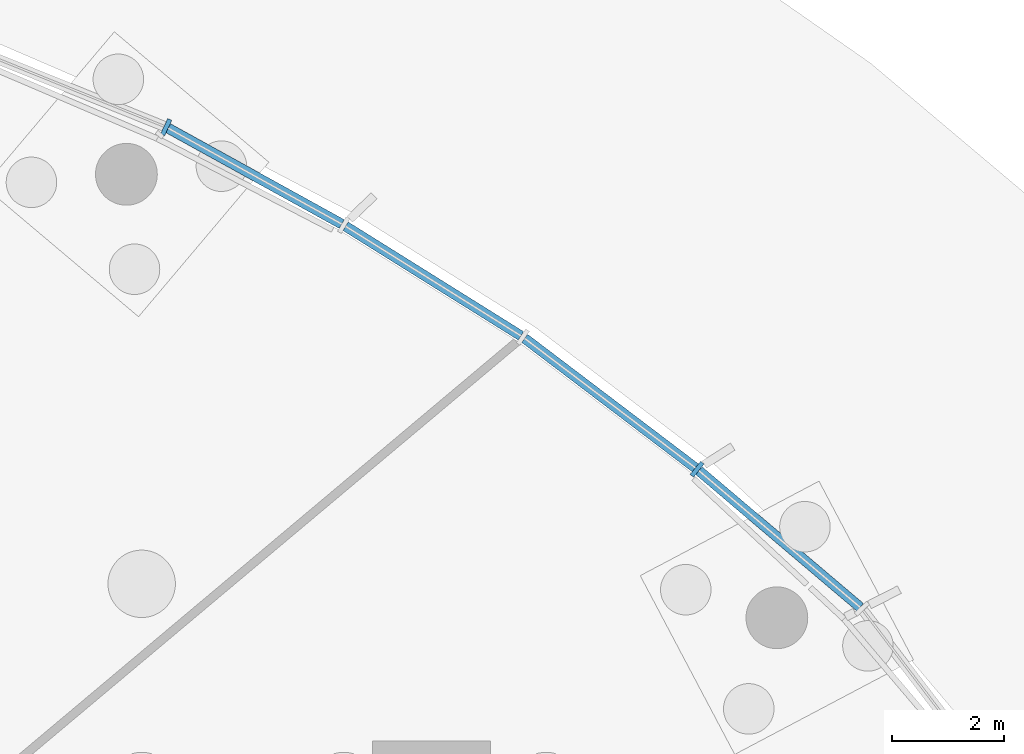
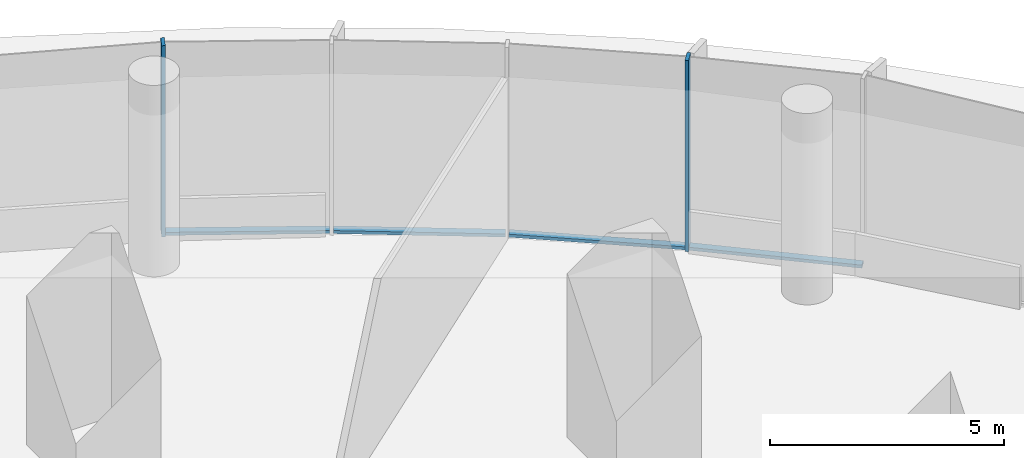
# One storey, part 8 of 29: 6 members, 3 elements without a shape of their own.
"""IFC4 building model written with IfcOpenShell, lengths in metres."""

from ifc_helpers import new_model, si_unit, direction, frame, origin, origin_2d, place, context, subcontext, project, spatial, rectangle, extrude, material, material_profile, profile_set, type_object, element, aggregate, save


model = new_model("IFC4")

# Units and contexts
model_context = context("Model", 3, precision=1e-05, world=origin(), true_north=direction((0.0, 1.0)))
body_context = subcontext(model_context, "Body", "Model", "MODEL_VIEW")
ifc_project = project(units=[si_unit("LENGTHUNIT", "METRE"), si_unit("AREAUNIT", "SQUARE_METRE"), si_unit("VOLUMEUNIT", "CUBIC_METRE"), si_unit("PLANEANGLEUNIT", "RADIAN"), si_unit("MASSUNIT", "GRAM", prefix="KILO")], contexts=[model_context])

# Site, building, storey
site_placement = place(None, origin())
site = spatial("IfcSite", under=ifc_project, at=site_placement, CompositionType="ELEMENT")
building_placement = place(site_placement, origin())
building = spatial("IfcBuilding", under=site, at=building_placement, Name="Ghaith Harvest Tower", CompositionType="ELEMENT")
storey_placement = place(building_placement, origin())
storey = spatial("IfcBuildingStorey", under=building, at=storey_placement, Name="L00", CompositionType="ELEMENT", Elevation=0.0)

# Curtain wall, member
ifc_material_1 = material(Name="Black anodised aluminium and fritted glass", Category="aluminium")
curtain_wall_type = type_object("IfcCurtainWallType", Name="CW-P CURTAIN WALL", PredefinedType="NOTDEFINED", material=ifc_material_1)
curtain_wall_1_placement = place(storey_placement, origin())
curtain_wall_1 = element("IfcCurtainWall", 1, at=curtain_wall_1_placement, inside=storey, type_object=curtain_wall_type, Name="Curtain wall CW-P bay 03 L00", PredefinedType="NOTDEFINED")
ifc_material_2 = material(Name="Aluminium, black anodised", Category="aluminium")
ifc_material_profile_1 = material_profile(ifc_material_2, rectangle(XDim=0.080078125, YDim=0.300048828125, at=origin_2d()), Name="CW-P MULLION 80x300")
ifc_profile_set_1 = profile_set([ifc_material_profile_1], Name="Aluminium, black anodised")
member_type_1 = type_object("IfcMemberType", Name="CW-P MULLION 80x300", PredefinedType="MULLION", material=ifc_profile_set_1)
member_1_placement = place(storey_placement, frame((31.490478515625, 20.040771484375, 0.0), z_axis=(0.0, 0.0, 1.0), x_axis=(-0.780317393323, 0.625383694765, 0.0)))
member_1 = element("IfcMember", 2, at=member_1_placement, type_object=member_type_1, Name="CW-P mullion 1 bay 03 L00", PredefinedType="MULLION", context=body_context, shape_type="SweptSolid", body=[
    extrude(rectangle(XDim=0.080078125, YDim=0.300048828125, at=origin_2d()), origin(), (0.0, 0.0, 1.0), 5.0),
])

curtain_wall_2_placement = place(storey_placement, origin())
curtain_wall_2 = element("IfcCurtainWall", 3, at=curtain_wall_2_placement, inside=storey, type_object=curtain_wall_type, Name="Curtain wall CW-P bay 04 L00", PredefinedType="NOTDEFINED")
member_2_placement = place(storey_placement, frame((22.03662109375, 26.13232421875, 0.0), z_axis=(0.0, 0.0, 1.0), x_axis=(-0.904206982894, 0.427094523597, 0.0)))
member_2 = element("IfcMember", 4, at=member_2_placement, type_object=member_type_1, Name="CW-P mullion 1 bay 04 L00", PredefinedType="MULLION", context=body_context, shape_type="SweptSolid", body=[
    extrude(rectangle(XDim=0.080078125, YDim=0.300048828125, at=origin_2d()), origin(), (0.0, 0.0, 1.0), 5.0),
])
aggregate(curtain_wall_2, [member_2])

curtain_wall_3_placement = place(storey_placement, origin())
curtain_wall_3 = element("IfcCurtainWall", 5, at=curtain_wall_3_placement, inside=storey, type_object=curtain_wall_type, Name="Curtain wall CW-P bay 02 L00", PredefinedType="NOTDEFINED")
ifc_material_3 = material(Name="Aluminium, black anodised", Category="aluminium")
ifc_material_profile_2 = material_profile(ifc_material_3, rectangle(XDim=0.179931640625, YDim=0.080078125, at=origin_2d()), Name="CW-P TRANSOM 180x80")
ifc_profile_set_2 = profile_set([ifc_material_profile_2], Name="Aluminium, black anodised")
member_type_2 = type_object("IfcMemberType", Name="CW-P TRANSOM 180x80", PredefinedType="USERDEFINED", material=ifc_profile_set_2)
member_3_placement = place(storey_placement, frame((34.39306640625, 17.582275390625, 0.0400390625), z_axis=(-0.763039274182, 0.646352122342, 0.0), x_axis=(-0.646352122342, -0.763039274182, 0.0)))
member_3 = element("IfcMember", 6, at=member_3_placement, type_object=member_type_2, Name="CW-P transom 3 bay 02 L00", ObjectType="TRANSOM", PredefinedType="USERDEFINED", context=body_context, shape_type="SweptSolid", body=[
    extrude(rectangle(XDim=0.179931640625, YDim=0.080078125, at=origin_2d()), origin(), (0.0, 0.0, 1.0), 3.763916015625),
])
aggregate(curtain_wall_3, [member_3])

# Member
member_4_placement = place(storey_placement, frame((31.458740234375, 20.06494140625, 0.0400390625), z_axis=(-0.796785842158, 0.604261799005, 0.0), x_axis=(-0.604261799005, -0.796785842158, 0.0)))
member_4 = element("IfcMember", 7, at=member_4_placement, type_object=member_type_2, Name="CW-P transom 1 bay 03 L00", ObjectType="TRANSOM", PredefinedType="USERDEFINED", context=body_context, shape_type="SweptSolid", body=[
    extrude(rectangle(XDim=0.179931640625, YDim=0.080078125, at=origin_2d()), origin(), (0.0, 0.0, 1.0), 3.814453125),
])

member_5_placement = place(storey_placement, frame((28.353759765625, 22.415283203125, 0.0400390625), z_axis=(-0.848128656637, 0.529790318703, 0.0), x_axis=(-0.529790318703, -0.848128656637, 0.0)))
member_5 = element("IfcMember", 8, at=member_5_placement, type_object=member_type_2, Name="CW-P transom 2 bay 03 L00", ObjectType="TRANSOM", PredefinedType="USERDEFINED", context=body_context, shape_type="SweptSolid", body=[
    extrude(rectangle(XDim=0.179931640625, YDim=0.080078125, at=origin_2d()), origin(), (0.0, 0.0, 1.0), 3.681884765625),
])

member_6_placement = place(storey_placement, frame((25.162109375, 24.406494140625, 0.0400390625), z_axis=(-0.875439463287, 0.48332778331, 0.0), x_axis=(-0.48332778331, -0.875439463287, 0.0)))
member_6 = element("IfcMember", 9, at=member_6_placement, type_object=member_type_2, Name="CW-P transom 3 bay 03 L00", ObjectType="TRANSOM", PredefinedType="USERDEFINED", context=body_context, shape_type="SweptSolid", body=[
    extrude(rectangle(XDim=0.179931640625, YDim=0.080078125, at=origin_2d()), origin(), (0.0, 0.0, 1.0), 3.5302734375),
])

aggregate(curtain_wall_1, [member_1, member_4, member_5, member_6])

save(model, "model.ifc")
